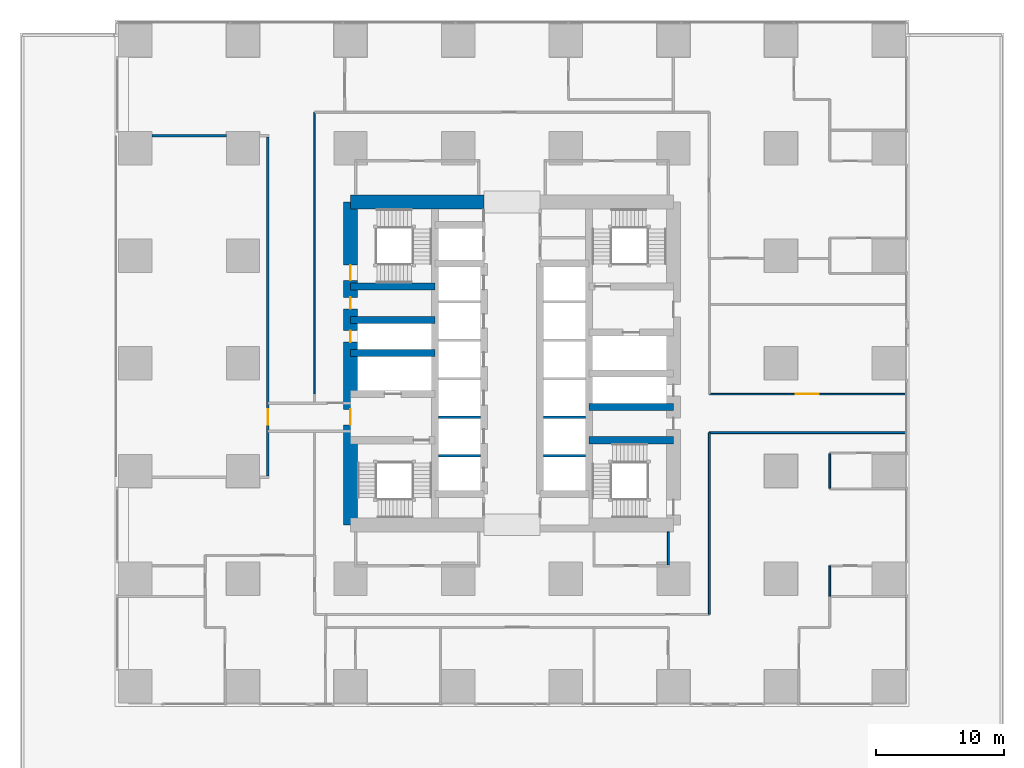
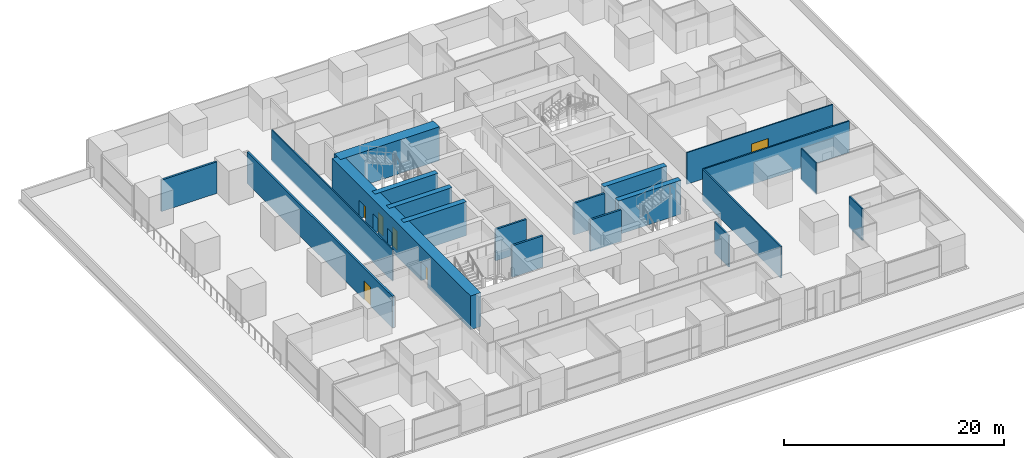
# One storey, part 22 of 35: 20 walls, 6 doors, 6 openings.
"""IFC4 building model written with IfcOpenShell, lengths in metres."""

from ifc_helpers import new_model, si_unit, direction, frame, frame_2d, origin, place, context, subcontext, project, spatial, rectangle, extrude, material, layer, layer_set, type_object, element, fill, save


model = new_model("IFC4")

# Units and contexts
model_context = context("Model", 3, precision=1e-05, world=origin(), true_north=direction((0.0, 1.0)))
body_context = subcontext(model_context, "Body", "Model", "MODEL_VIEW")
ifc_project = project(units=[si_unit("LENGTHUNIT", "METRE"), si_unit("AREAUNIT", "SQUARE_METRE"), si_unit("VOLUMEUNIT", "CUBIC_METRE"), si_unit("PLANEANGLEUNIT", "RADIAN"), si_unit("MASSUNIT", "GRAM", prefix="KILO")], contexts=[model_context])

# Site, building, storey
site_placement = place(None, origin())
site = spatial("IfcSite", under=ifc_project, at=site_placement, CompositionType="ELEMENT")
building_placement = place(site_placement, origin())
building = spatial("IfcBuilding", under=site, at=building_placement, Name="Rekha Terrace Tower", CompositionType="ELEMENT")
storey_placement = place(building_placement, frame((0.0, 0.0, 25.39990234375)))
storey = spatial("IfcBuildingStorey", under=building, at=storey_placement, Name="L05", CompositionType="ELEMENT", Elevation=25.39990234375)

# Walls
ifc_material_1 = material(Name="Concrete M70", Category="concrete")
ifc_layer_1 = layer(ifc_material_1, 0.550048828125)
ifc_layer_set_1 = layer_set([ifc_layer_1], Name="Concrete M70")
wall_type_1 = type_object("IfcWallType", Name="CI1 550 core internal shear wall", PredefinedType="SHEAR", material=ifc_layer_set_1)
for number, where, z_axis, x_axis, name in (
    (1, (25.199951171875, 34.39990234375, 0.0), (0.0, 0.0, 1.0), (1.0, 0.0, 0.0), "Core wall Y344W L05"),
    (2, (25.199951171875, 37.0, 0.0), (0.0, 0.0, 1.0), (1.0, 0.0, 0.0), "Core wall Y370W L05"),
    (3, (25.199951171875, 39.60009765625, 0.0), (0.0, 0.0, 1.0), (1.0, 0.0, 0.0), "Core wall Y396W L05"),
):
    element("IfcWall", number, at=place(storey_placement, frame(where, z_axis=z_axis, x_axis=x_axis)), inside=storey, type_object=wall_type_1, Name=name, PredefinedType="SHEAR", context=body_context, shape_type="SweptSolid", body=[
        extrude(rectangle(XDim=6.60009765625, YDim=0.550048828125, at=frame_2d((3.300048828125, 0.0))), origin(), (0.0, 0.0, 1.0), 3.75),
    ])
for number, where, z_axis, x_axis, name in (
    (4, (43.800048828125, 27.60009765625, 0.0), (0.0, 0.0, 1.0), (1.0, 0.0, 0.0), "Core wall Y276E L05"),
    (5, (43.800048828125, 30.199951171875, 0.0), (0.0, 0.0, 1.0), (1.0, 0.0, 0.0), "Core wall Y302E L05"),
):
    element("IfcWall", number, at=place(storey_placement, frame(where, z_axis=z_axis, x_axis=x_axis)), inside=storey, type_object=wall_type_1, Name=name, PredefinedType="SHEAR", context=body_context, shape_type="SweptSolid", body=[
        extrude(rectangle(XDim=6.599853515625, YDim=0.550048828125, at=frame_2d((3.2998046875, 0.0))), origin(), (0.0, 0.0, 1.0), 3.75),
    ])
ifc_layer_2 = layer(ifc_material_1, 1.10009765625)
ifc_layer_set_2 = layer_set([ifc_layer_2], Name="Concrete M70")
wall_type_2 = type_object("IfcWallType", Name="SW1 1100 core outer shear wall", PredefinedType="SHEAR", material=ifc_layer_set_2)
wall_1_placement = place(storey_placement, frame((25.199951171875, 46.199951171875, 0.0), z_axis=(0.0, 0.0, 1.0), x_axis=(1.0, 0.0, 0.0)))
element("IfcWall", 6, at=wall_1_placement, inside=storey, type_object=wall_type_2, Name="Core wall N1 L05", PredefinedType="SHEAR", context=body_context, shape_type="SweptSolid", body=[
    extrude(rectangle(XDim=10.400146484375, YDim=1.10009765625, at=frame_2d((5.2001953125, 0.0))), origin(), (0.0, 0.0, 1.0), 3.75),
])

# Wall, openings, doors
wall_2_placement = place(storey_placement, frame((25.199951171875, 21.0, 0.0), z_axis=(0.0, 0.0, 1.0), x_axis=(0.0, 1.0, 0.0)))
wall_2 = element("IfcWall", 7, at=wall_2_placement, inside=storey, type_object=wall_type_2, Name="Core wall W L05", PredefinedType="SHEAR", context=body_context, shape_type="SweptSolid", body=[
    extrude(rectangle(XDim=25.199951171875, YDim=1.10009765625, at=frame_2d((12.60009765625, 0.0))), origin(), (0.0, 0.0, 1.0), 3.75),
])
opening_1_placement = place(wall_2_placement, frame((7.800048828125, 0.0, 0.0)))
opening_1 = element("IfcOpeningElement", 8, at=opening_1_placement, cuts=wall_2, Name="Opening D2", PredefinedType="OPENING", context=body_context, shape_type="SweptSolid", body=[
    extrude(rectangle(XDim=1.199951171875, YDim=2.10009765625, at=frame_2d((0.60009765625, 1.050048828125))), frame((0.0, 0.56005859375, 0.0), z_axis=(0.0, -1.0, 0.0), x_axis=(1.0, 0.0, 0.0)), (0.0, 0.0, 1.0), 1.1201171875),
])
opening_2_placement = place(wall_2_placement, frame((14.25, 0.0, 0.0)))
opening_2 = element("IfcOpeningElement", 9, at=opening_2_placement, cuts=wall_2, Name="Opening D5", PredefinedType="OPENING", context=body_context, shape_type="SweptSolid", body=[
    extrude(rectangle(XDim=0.89990234375, YDim=2.10009765625, at=frame_2d((0.449951171875, 1.050048828125))), frame((0.0, 0.56005859375, 0.0), z_axis=(0.0, -1.0, 0.0), x_axis=(1.0, 0.0, 0.0)), (0.0, 0.0, 1.0), 1.1201171875),
])
opening_3_placement = place(wall_2_placement, frame((16.85009765625, 0.0, 0.0)))
opening_3 = element("IfcOpeningElement", 10, at=opening_3_placement, cuts=wall_2, Name="Opening D5", PredefinedType="OPENING", context=body_context, shape_type="SweptSolid", body=[
    extrude(rectangle(XDim=0.89990234375, YDim=2.10009765625, at=frame_2d((0.449951171875, 1.050048828125))), frame((0.0, 0.56005859375, 0.0), z_axis=(0.0, -1.0, 0.0), x_axis=(1.0, 0.0, 0.0)), (0.0, 0.0, 1.0), 1.1201171875),
])
opening_4_placement = place(wall_2_placement, frame((19.074951171875, 0.0, 0.0)))
opening_4 = element("IfcOpeningElement", 11, at=opening_4_placement, cuts=wall_2, Name="Opening D1", PredefinedType="OPENING", context=body_context, shape_type="SweptSolid", body=[
    extrude(rectangle(XDim=1.199951171875, YDim=2.10009765625, at=frame_2d((0.60009765625, 1.050048828125))), frame((0.0, 0.56005859375, 0.0), z_axis=(0.0, -1.0, 0.0), x_axis=(1.0, 0.0, 0.0)), (0.0, 0.0, 1.0), 1.1201171875),
])
ifc_material_2 = material(Name="Steel fire door", Category="steel")
door_type_1 = type_object("IfcDoorType", Name="D1 1200x2100 stair fire door", OperationType="SINGLE_SWING_RIGHT", PredefinedType="DOOR", material=ifc_material_2)
door_1_placement = place(opening_4_placement, origin())
door_1 = element("IfcDoor", 12, at=door_1_placement, inside=storey, type_object=door_type_1, Name="Stair ST4 door L05", OperationType="SINGLE_SWING_RIGHT", OverallHeight=2.10009765625, OverallWidth=1.199951171875, PredefinedType="DOOR", context=body_context, shape_type="SweptSolid", body=[
    extrude(rectangle(XDim=1.199951171875, YDim=2.10009765625, at=frame_2d((0.60009765625, 1.050048828125))), frame((0.0, 0.02490234375, 0.0), z_axis=(0.0, -1.0, 0.0), x_axis=(1.0, 0.0, 0.0)), (0.0, 0.0, 1.0), 0.050048828125),
])
fill(opening_4, door_1)
door_type_2 = type_object("IfcDoorType", Name="D2 1200x2100 firefighting lobby door", OperationType="SINGLE_SWING_LEFT", PredefinedType="DOOR", material=ifc_material_2)
door_2_placement = place(opening_1_placement, origin())
door_2 = element("IfcDoor", 13, at=door_2_placement, inside=storey, type_object=door_type_2, Name="Door flb1 L05", OperationType="SINGLE_SWING_LEFT", OverallHeight=2.10009765625, OverallWidth=1.199951171875, PredefinedType="DOOR", context=body_context, shape_type="SweptSolid", body=[
    extrude(rectangle(XDim=1.199951171875, YDim=2.10009765625, at=frame_2d((0.60009765625, 1.050048828125))), frame((0.0, 0.02490234375, 0.0), z_axis=(0.0, -1.0, 0.0), x_axis=(1.0, 0.0, 0.0)), (0.0, 0.0, 1.0), 0.050048828125),
])
fill(opening_1, door_2)
door_type_3 = type_object("IfcDoorType", Name="D5 900x2100 riser access door", OperationType="SINGLE_SWING_LEFT", PredefinedType="DOOR", material=ifc_material_2)
door_3_placement = place(opening_2_placement, origin())
door_3 = element("IfcDoor", 14, at=door_3_placement, inside=storey, type_object=door_type_3, Name="Door rs1 L05", OperationType="SINGLE_SWING_LEFT", OverallHeight=2.10009765625, OverallWidth=0.89990234375, PredefinedType="DOOR", context=body_context, shape_type="SweptSolid", body=[
    extrude(rectangle(XDim=0.89990234375, YDim=2.10009765625, at=frame_2d((0.449951171875, 1.050048828125))), frame((0.0, 0.02490234375, 0.0), z_axis=(0.0, -1.0, 0.0), x_axis=(1.0, 0.0, 0.0)), (0.0, 0.0, 1.0), 0.050048828125),
])
fill(opening_2, door_3)
door_4_placement = place(opening_3_placement, origin())
door_4 = element("IfcDoor", 15, at=door_4_placement, inside=storey, type_object=door_type_3, Name="Door elw L05", OperationType="SINGLE_SWING_LEFT", OverallHeight=2.10009765625, OverallWidth=0.89990234375, PredefinedType="DOOR", context=body_context, shape_type="SweptSolid", body=[
    extrude(rectangle(XDim=0.89990234375, YDim=2.10009765625, at=frame_2d((0.449951171875, 1.050048828125))), frame((0.0, 0.02490234375, 0.0), z_axis=(0.0, -1.0, 0.0), x_axis=(1.0, 0.0, 0.0)), (0.0, 0.0, 1.0), 0.050048828125),
])
fill(opening_3, door_4)

# Walls
ifc_material_3 = material(Name="Concrete block masonry, 1 hour", Category="masonry")
ifc_layer_3 = layer(ifc_material_3, 0.14990234375)
ifc_layer_set_3 = layer_set([ifc_layer_3], Name="Concrete block masonry, 1 hour")
wall_type_3 = type_object("IfcWallType", Name="WP2 150 tenancy partition", PredefinedType="PARTITIONING", material=ifc_layer_set_3)
wall_3_placement = place(storey_placement, frame((50.0, 17.875, 0.0), z_axis=(0.0, 0.0, 1.0), x_axis=(0.0, 1.0, 0.0)))
element("IfcWall", 16, at=wall_3_placement, inside=storey, type_object=wall_type_3, Name="Men's WC wall L05", PredefinedType="PARTITIONING", context=body_context, shape_type="SweptSolid", body=[
    extrude(rectangle(XDim=2.574951171875, YDim=0.14990234375, at=frame_2d((1.28759765625, 0.0))), origin(), (0.0, 0.0, 1.0), 3.5),
])
wall_4_placement = place(storey_placement, frame((53.199951171875, 14.0, 0.0), z_axis=(0.0, 0.0, 1.0), x_axis=(0.0, 1.0, 0.0)))
element("IfcWall", 17, at=wall_4_placement, inside=storey, type_object=wall_type_3, Name="Partition L05-O1", PredefinedType="PARTITIONING", context=body_context, shape_type="SweptSolid", body=[
    extrude(rectangle(XDim=14.199951171875, YDim=0.14990234375, at=frame_2d((7.10009765625, 0.0))), origin(), (0.0, 0.0, 1.0), 3.5),
])
wall_5_placement = place(storey_placement, frame((53.199951171875, 28.199951171875, 0.0), z_axis=(0.0, 0.0, 1.0), x_axis=(1.0, 0.0, 0.0)))
element("IfcWall", 18, at=wall_5_placement, inside=storey, type_object=wall_type_3, Name="Partition L05-O1", PredefinedType="PARTITIONING", context=body_context, shape_type="SweptSolid", body=[
    extrude(rectangle(XDim=15.35009765625, YDim=0.14990234375, at=frame_2d((7.675048828125, 0.0))), origin(), (0.0, 0.0, 1.0), 3.5),
])
ifc_material_4 = material(Name="Two layers of fire-rated gypsum board each side on steel studs, acoustic quilt, 1 hour", Category="steel")
ifc_layer_4 = layer(ifc_material_4, 0.125)
ifc_layer_set_4 = layer_set([ifc_layer_4], Name="Two layers of fire-rated gypsum board each side on steel studs, acoustic quilt, 1 hour")
wall_type_4 = type_object("IfcWallType", Name="WP3 125 office partition", PredefinedType="PARTITIONING", material=ifc_layer_set_4)
wall_6_placement = place(storey_placement, frame((62.60009765625, 15.43603515625, 0.0), z_axis=(0.0, 0.0, 1.0), x_axis=(0.0, 1.0, 0.0)))
element("IfcWall", 19, at=wall_6_placement, inside=storey, type_object=wall_type_4, Name="Partition L05-05", PredefinedType="PARTITIONING", context=body_context, shape_type="SweptSolid", body=[
    extrude(rectangle(XDim=2.364013671875, YDim=0.125, at=frame_2d((1.18212890625, 0.0))), origin(), (0.0, 0.0, 1.0), 3.5),
])
wall_7_placement = place(storey_placement, frame((62.60009765625, 23.8359375, 0.0), z_axis=(0.0, 0.0, 1.0), x_axis=(0.0, 1.0, 0.0)))
element("IfcWall", 20, at=wall_7_placement, inside=storey, type_object=wall_type_4, Name="Partition L05-06", PredefinedType="PARTITIONING", context=body_context, shape_type="SweptSolid", body=[
    extrude(rectangle(XDim=2.72900390625, YDim=0.125, at=frame_2d((1.364501953125, 0.0))), origin(), (0.0, 0.0, 1.0), 3.5),
])

# Wall, opening, door
wall_8_placement = place(storey_placement, frame((68.550048828125, 31.199951171875, 0.0), z_axis=(0.0, 0.0, 1.0), x_axis=(-1.0, 0.0, 0.0)))
wall_8 = element("IfcWall", 21, at=wall_8_placement, inside=storey, type_object=wall_type_4, Name="Partition L05-12", PredefinedType="PARTITIONING", context=body_context, shape_type="SweptSolid", body=[
    extrude(rectangle(XDim=15.35009765625, YDim=0.125, at=frame_2d((7.675048828125, 0.0))), origin(), (0.0, 0.0, 1.0), 3.5),
])
opening_5_placement = place(wall_8_placement, frame((6.7900390625, 0.0, 0.0)))
opening_5 = element("IfcOpeningElement", 22, at=opening_5_placement, cuts=wall_8, Name="Opening D8", PredefinedType="OPENING", context=body_context, shape_type="SweptSolid", body=[
    extrude(rectangle(XDim=1.800048828125, YDim=2.10009765625, at=frame_2d((0.89990234375, 1.050048828125))), frame((0.0, 0.072509765625, 0.0), z_axis=(0.0, -1.0, 0.0), x_axis=(1.0, 0.0, 0.0)), (0.0, 0.0, 1.0), 0.14501953125),
])
ifc_material_5 = material(Name="Timber fire door", Category="wood")
door_type_4 = type_object("IfcDoorType", Name="D8 1800x2100 double leaf door", OperationType="DOUBLE_DOOR_SINGLE_SWING", PredefinedType="DOOR", material=ifc_material_5)
door_5_placement = place(opening_5_placement, origin())
door_5 = element("IfcDoor", 23, at=door_5_placement, inside=storey, type_object=door_type_4, Name="Door reception L05", OperationType="DOUBLE_DOOR_SINGLE_SWING", OverallHeight=2.10009765625, OverallWidth=1.800048828125, PredefinedType="DOOR", context=body_context, shape_type="SweptSolid", body=[
    extrude(rectangle(XDim=1.800048828125, YDim=2.10009765625, at=frame_2d((0.89990234375, 1.050048828125))), frame((0.0, 0.02490234375, 0.0), z_axis=(0.0, -1.0, 0.0), x_axis=(1.0, 0.0, 0.0)), (0.0, 0.0, 1.0), 0.050048828125),
])
fill(opening_5, door_5)

# Walls
wall_9_placement = place(storey_placement, frame((22.39990234375, 53.199951171875, 0.0), z_axis=(0.0, 0.0, 1.0), x_axis=(0.0, -1.0, 0.0)))
element("IfcWall", 24, at=wall_9_placement, inside=storey, type_object=wall_type_4, Name="Partition L05-15", PredefinedType="PARTITIONING", context=body_context, shape_type="SweptSolid", body=[
    extrude(rectangle(XDim=22.0, YDim=0.125, at=frame_2d((11.0, 0.0))), origin(), (0.0, 0.0, 1.0), 3.5),
])
ifc_material_6 = material(Name="Solid concrete block masonry, 2 hour", Category="masonry")
ifc_layer_5 = layer(ifc_material_6, 0.199951171875)
ifc_layer_set_5 = layer_set([ifc_layer_5], Name="Solid concrete block masonry, 2 hour")
wall_type_5 = type_object("IfcWallType", Name="WS1 200 stair and shaft enclosure", PredefinedType="PARTITIONING", material=ifc_layer_set_5)
for number, where, z_axis, x_axis, name in (
    (25, (32.074951171875, 26.39990234375, 0.0), (0.0, 0.0, 1.0), (1.0, 0.0, 0.0), "Lift shaft divider L05"),
    (26, (32.074951171875, 29.39990234375, 0.0), (0.0, 0.0, 1.0), (1.0, 0.0, 0.0), "Lift shaft divider L05"),
    (27, (40.27490234375, 26.39990234375, 0.0), (0.0, 0.0, 1.0), (1.0, 0.0, 0.0), "Lift shaft divider L05"),
    (28, (40.27490234375, 29.39990234375, 0.0), (0.0, 0.0, 1.0), (1.0, 0.0, 0.0), "Lift shaft divider L05"),
):
    element("IfcWall", number, at=place(storey_placement, frame(where, z_axis=z_axis, x_axis=x_axis)), inside=storey, type_object=wall_type_5, Name=name, PredefinedType="PARTITIONING", context=body_context, shape_type="SweptSolid", body=[
        extrude(rectangle(XDim=3.25, YDim=0.199951171875, at=frame_2d((1.625, 0.0))), origin(), (0.0, 0.0, 1.0), 3.5),
    ])

# Wall, opening, door
wall_10_placement = place(storey_placement, frame((18.75, 24.820068359375, 0.0), z_axis=(0.0, 0.0, 1.0), x_axis=(0.0, 1.0, 0.0)))
wall_10 = element("IfcWall", 29, at=wall_10_placement, inside=storey, type_object=wall_type_5, Name="Refuge area inner wall L05", PredefinedType="PARTITIONING", context=body_context, shape_type="SweptSolid", body=[
    extrude(rectangle(XDim=26.43994140625, YDim=0.199951171875, at=frame_2d((13.219970703125, 0.0))), origin(), (0.0, 0.0, 1.0), 3.5),
])
opening_6_placement = place(wall_10_placement, frame((3.97998046875, 0.0, 0.0)))
opening_6 = element("IfcOpeningElement", 30, at=opening_6_placement, cuts=wall_10, Name="Opening D2", PredefinedType="OPENING", context=body_context, shape_type="SweptSolid", body=[
    extrude(rectangle(XDim=1.199951171875, YDim=2.10009765625, at=frame_2d((0.60009765625, 1.050048828125))), frame((0.0, 0.10986328125, 0.0), z_axis=(0.0, -1.0, 0.0), x_axis=(1.0, 0.0, 0.0)), (0.0, 0.0, 1.0), 0.219970703125),
])
door_6_placement = place(opening_6_placement, origin())
door_6 = element("IfcDoor", 31, at=door_6_placement, inside=storey, type_object=door_type_2, Name="Refuge area door L05", OperationType="SINGLE_SWING_LEFT", OverallHeight=2.10009765625, OverallWidth=1.199951171875, PredefinedType="DOOR", context=body_context, shape_type="SweptSolid", body=[
    extrude(rectangle(XDim=1.199951171875, YDim=2.10009765625, at=frame_2d((0.60009765625, 1.050048828125))), frame((0.0, 0.02490234375, 0.0), z_axis=(0.0, -1.0, 0.0), x_axis=(1.0, 0.0, 0.0)), (0.0, 0.0, 1.0), 0.050048828125),
])
fill(opening_6, door_6)

# Wall
wall_11_placement = place(storey_placement, frame((9.699951171875, 51.360107421875, 0.0), z_axis=(0.0, 0.0, 1.0), x_axis=(1.0, 0.0, 0.0)))
element("IfcWall", 32, at=wall_11_placement, inside=storey, type_object=wall_type_5, Name="Refuge area north wall L05", PredefinedType="PARTITIONING", context=body_context, shape_type="SweptSolid", body=[
    extrude(rectangle(XDim=5.800048828125, YDim=0.199951171875, at=frame_2d((2.89990234375, 0.0))), origin(), (0.0, 0.0, 1.0), 3.5),
])

save(model, "model.ifc")
